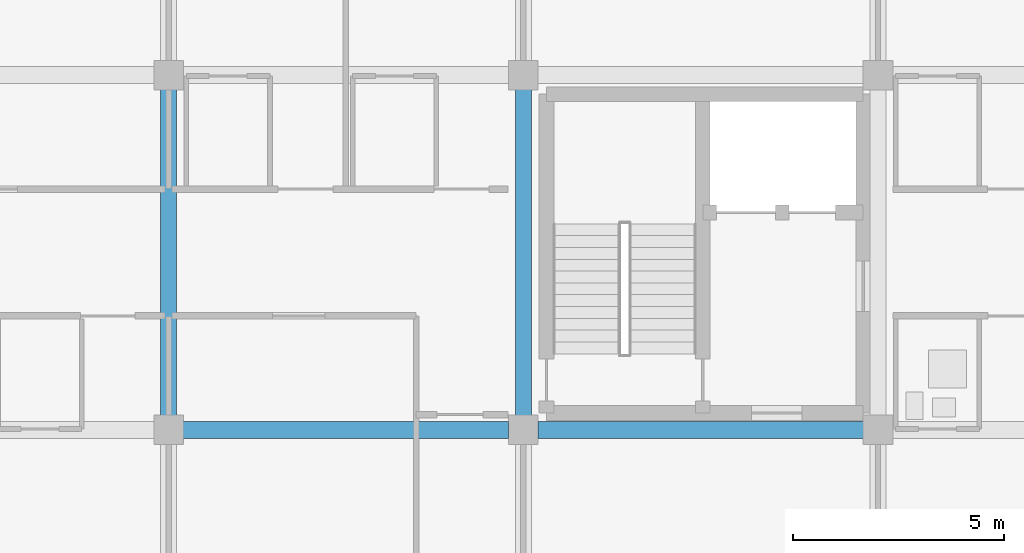
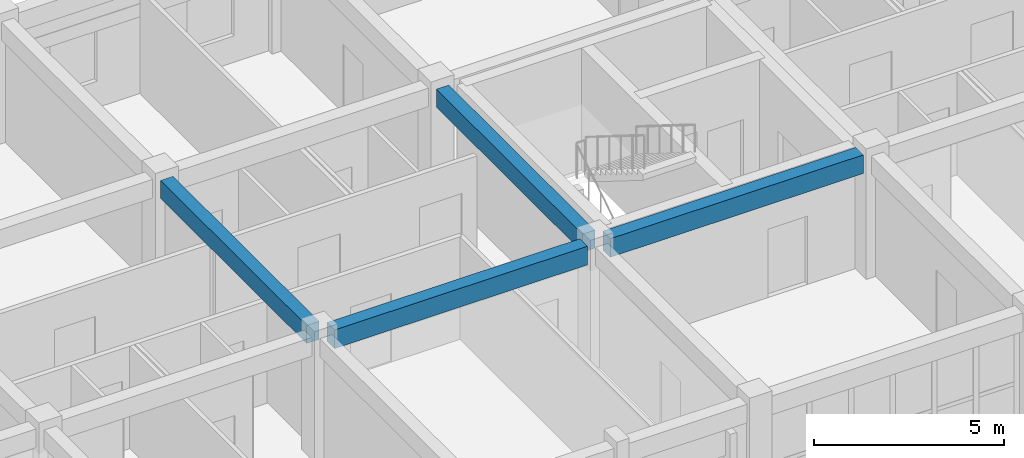
# One storey, part 13 of 140: 4 beams.
"""IFC4 building model written with IfcOpenShell, lengths in metres."""

from ifc_helpers import new_model, si_unit, direction, frame, origin, origin_2d, place, context, subcontext, project, spatial, rectangle, extrude, material, material_profile, profile_set, type_object, element, save


model = new_model("IFC4")

# Units and contexts
model_context = context("Model", 3, precision=1e-05, world=origin(), true_north=direction((0.0, 1.0)))
body_context = subcontext(model_context, "Body", "Model", "MODEL_VIEW")
ifc_project = project(units=[si_unit("LENGTHUNIT", "METRE"), si_unit("AREAUNIT", "SQUARE_METRE"), si_unit("VOLUMEUNIT", "CUBIC_METRE"), si_unit("PLANEANGLEUNIT", "RADIAN"), si_unit("MASSUNIT", "GRAM", prefix="KILO")], contexts=[model_context])

# Site, building, storey
site_placement = place(None, origin())
site = spatial("IfcSite", under=ifc_project, at=site_placement, CompositionType="ELEMENT")
building_placement = place(site_placement, origin())
building = spatial("IfcBuilding", under=site, at=building_placement, Name="Trelvath General Hospital", CompositionType="ELEMENT")
storey_placement = place(building_placement, frame((0.0, 0.0, 16.199951171875)))
storey = spatial("IfcBuildingStorey", under=building, at=storey_placement, Name="L04", CompositionType="ELEMENT", Elevation=16.199951171875)

# Beams
ifc_material_1 = material(Name="Concrete C35/45", Category="concrete")
ifc_material_profile_1 = material_profile(ifc_material_1, rectangle(XDim=0.3798828125, YDim=0.580078125, at=origin_2d()), Name="RCB380x580")
ifc_profile_set_1 = profile_set([ifc_material_profile_1], Name="Concrete C35/45")
beam_type_1 = type_object("IfcBeamType", Name="Beam RC380x580", PredefinedType="BEAM", material=ifc_profile_set_1)
for number, where, z_axis, x_axis, name in (
    (1, (33.60009765625, 8.7451171875, 3.630126953125), (0.0, 1.0, 0.0), (-1.0, 0.0, 0.0), "Grid Beam BY-404B"),
    (2, (42.0, 8.7451171875, 3.630126953125), (0.0, 1.0, 0.0), (-1.0, 0.0, 0.0), "Grid Beam BY-405B"),
):
    element("IfcBeam", number, at=place(storey_placement, frame(where, z_axis=z_axis, x_axis=x_axis)), inside=storey, type_object=beam_type_1, Name=name, PredefinedType="BEAM", context=body_context, shape_type="SweptSolid", body=[
        extrude(rectangle(XDim=0.3798828125, YDim=0.580078125, at=origin_2d()), origin(), (0.0, 0.0, 1.0), 7.7099609375),
    ])
ifc_material_2 = material(Name="Concrete C35/45", Category="concrete")
ifc_material_profile_2 = material_profile(ifc_material_2, rectangle(XDim=0.39990234375, YDim=0.60009765625, at=origin_2d()), Name="RCB400x600")
ifc_profile_set_2 = profile_set([ifc_material_profile_2], Name="Concrete C35/45")
beam_type_2 = type_object("IfcBeamType", Name="Beam RC400x600", PredefinedType="BEAM", material=ifc_profile_set_2)
for number, where, z_axis, x_axis, name in (
    (3, (33.945068359375, 8.39990234375, 3.6201171875), (1.0, 0.0, 0.0), (0.0, 1.0, 0.0), "Grid Beam BX-404B"),
    (4, (42.344970703125, 8.39990234375, 3.6201171875), (1.0, 0.0, 0.0), (0.0, 1.0, 0.0), "Grid Beam BX-405B"),
):
    element("IfcBeam", number, at=place(storey_placement, frame(where, z_axis=z_axis, x_axis=x_axis)), inside=storey, type_object=beam_type_2, Name=name, PredefinedType="BEAM", context=body_context, shape_type="SweptSolid", body=[
        extrude(rectangle(XDim=0.39990234375, YDim=0.60009765625, at=origin_2d()), origin(), (0.0, 0.0, 1.0), 7.7099609375),
    ])

save(model, "model.ifc")
